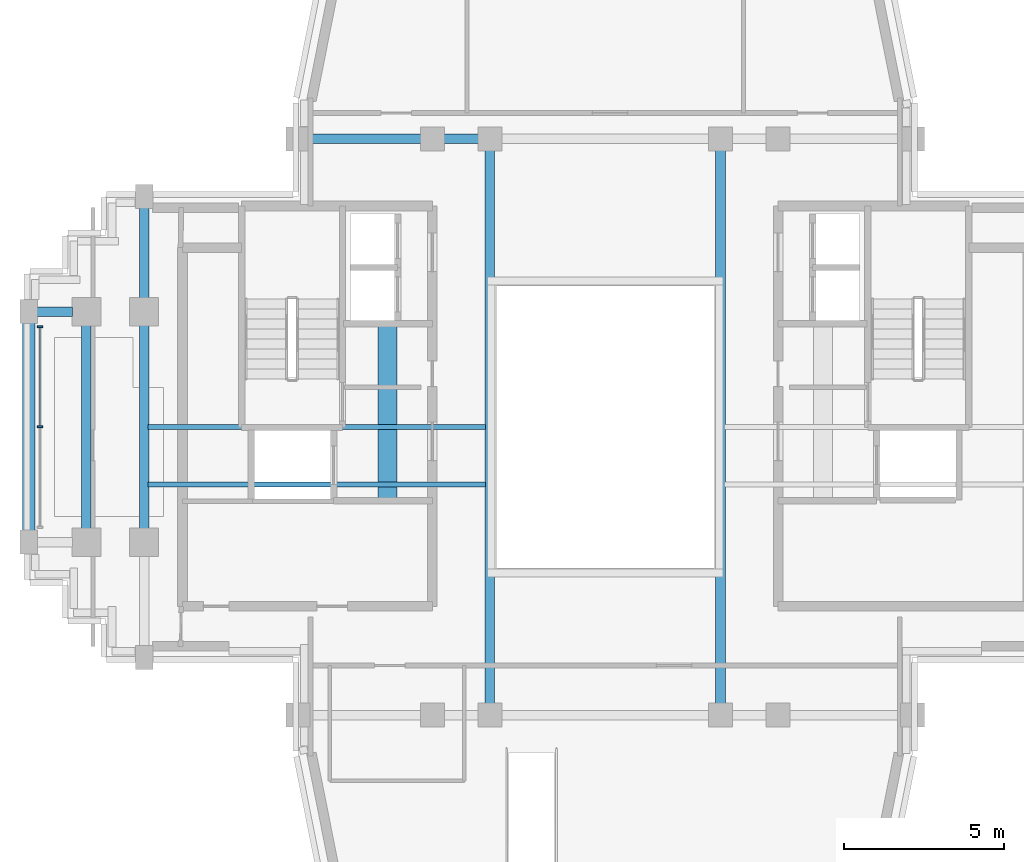
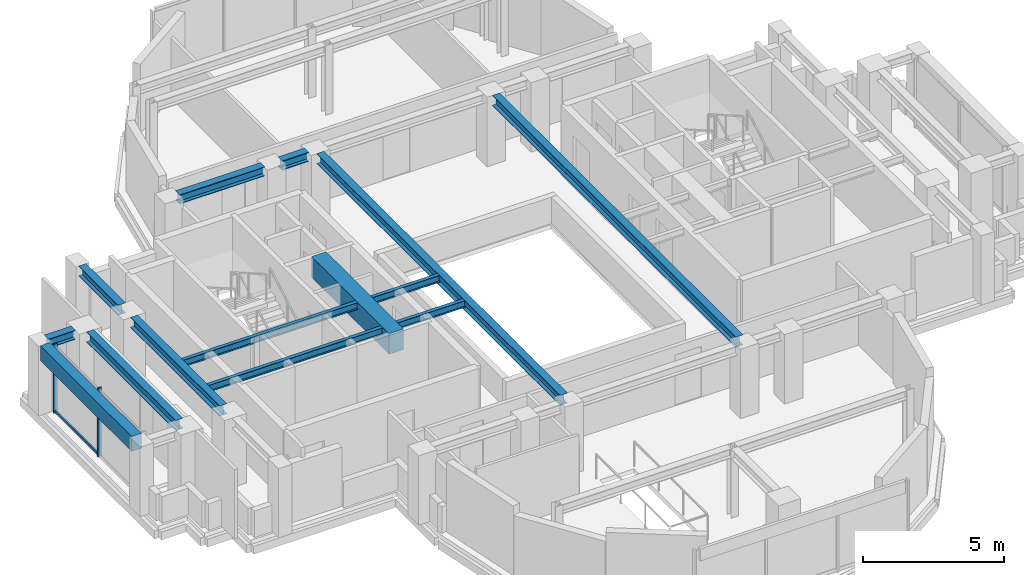
# One storey, part 4 of 12: 12 beams, 3 members, 1 element without a shape of its own.
"""IFC4 building model written with IfcOpenShell, lengths in metres."""

from ifc_helpers import new_model, si_unit, direction, frame, origin, origin_2d, place, context, subcontext, project, spatial, rectangle, i_section, extrude, source, transform, mapped, material, material_profile, profile_set, type_object, element, aggregate, save


model = new_model("IFC4")

# Units and contexts
model_context = context("Model", 3, precision=1e-05, world=origin(), true_north=direction((0.0, 1.0)))
body_context = subcontext(model_context, "Body", "Model", "MODEL_VIEW")
ifc_project = project(units=[si_unit("LENGTHUNIT", "METRE"), si_unit("AREAUNIT", "SQUARE_METRE"), si_unit("VOLUMEUNIT", "CUBIC_METRE"), si_unit("PLANEANGLEUNIT", "RADIAN"), si_unit("MASSUNIT", "GRAM", prefix="KILO")], contexts=[model_context])

# Site, building, storey
site_placement = place(None, origin())
site = spatial("IfcSite", under=ifc_project, at=site_placement, CompositionType="ELEMENT")
building_placement = place(site_placement, origin())
building = spatial("IfcBuilding", under=site, at=building_placement, Name="Keilestroom Media Tower", CompositionType="ELEMENT")
storey_placement = place(building_placement, frame((0.0, 0.0, 242.800048828125)))
storey = spatial("IfcBuildingStorey", under=building, at=storey_placement, Name="L67", CompositionType="ELEMENT", Elevation=242.800048828125)

# Beams
ifc_material_1 = material(Name="Concrete C70/85", Category="concrete")
ifc_material_profile_1 = material_profile(ifc_material_1, rectangle(XDim=0.60009765625, YDim=0.89990234375, at=origin_2d()), Name="RC 600x900")
ifc_profile_set_1 = profile_set([ifc_material_profile_1], Name="Concrete C70/85")
beam_type_1 = type_object("IfcBeamType", Name="Core-Coupling-Lintel-Beam-RC-600x900", PredefinedType="LINTEL", material=ifc_profile_set_1)
shared_shape_1 = source(origin(), body_context, "Body", "SweptSolid", [
    extrude(rectangle(XDim=0.60009765625, YDim=0.89990234375, at=origin_2d()), origin(), (0.0, 0.0, 1.0), 5.52001953125),
])
beam_1_placement = place(storey_placement, frame((-6.800048828125, -2.300048828125, 2.56005859375), z_axis=(0.0, 1.0, 0.0), x_axis=(-1.0, 0.0, 0.0)))
element("IfcBeam", 1, at=beam_1_placement, inside=storey, type_object=beam_type_1, Name="L67 Beam CLB-1 CLB-L67-W", PredefinedType="LINTEL", context=body_context, shape_type="MappedRepresentation", body=[
    mapped(shared_shape_1, transform((0.0, 0.0, 0.0), x_axis=(1.0, 0.0, 0.0), y_axis=(0.0, 1.0, 0.0), z_axis=(0.0, 0.0, 1.0), scale=1.0)),
])
ifc_material_2 = material(Name="Steel S355", Category="steel")
ifc_material_profile_2 = material_profile(ifc_material_2, i_section(OverallWidth=0.300048828125, OverallDepth=0.39990234375, WebThickness=0.011474609375, FlangeThickness=0.02392578125, at=origin_2d()), Name="HEB 400")
ifc_profile_set_2 = profile_set([ifc_material_profile_2], Name="Steel S355")
beam_type_2 = type_object("IfcBeamType", Name="Primary-Structural-Girder-HEB-400", PredefinedType="BEAM", material=ifc_profile_set_2)
shared_shape_2 = source(origin(), body_context, "Body", "SweptSolid", [
    extrude(i_section(OverallWidth=0.300048828125, OverallDepth=0.39990234375, WebThickness=0.011474609375, FlangeThickness=0.02392578125, at=origin_2d()), origin(), (0.0, 0.0, 1.0), 3.490234375),
])
beam_2_placement = place(storey_placement, frame((-9.2451171875, 9.0, 2.81005859375), z_axis=(1.0, 0.0, 0.0), x_axis=(0.0, 1.0, 0.0)))
element("IfcBeam", 2, at=beam_2_placement, inside=storey, type_object=beam_type_2, Name="L67 Beam BG-8 BM-L67-EW-016", PredefinedType="BEAM", context=body_context, shape_type="MappedRepresentation", body=[
    mapped(shared_shape_2, transform((0.0, 0.0, 0.0), x_axis=(1.0, 0.0, 0.0), y_axis=(0.0, 1.0, 0.0), z_axis=(0.0, 0.0, 1.0), scale=1.0)),
])
shared_shape_3 = source(origin(), body_context, "Body", "SweptSolid", [
    extrude(i_section(OverallWidth=0.300048828125, OverallDepth=0.39990234375, WebThickness=0.011474609375, FlangeThickness=0.02392578125, at=origin_2d()), origin(), (0.0, 0.0, 1.0), 1.08984375),
])
beam_3_placement = place(storey_placement, frame((-5.044921875, 9.0, 2.81005859375), z_axis=(1.0, 0.0, 0.0), x_axis=(0.0, 1.0, 0.0)))
element("IfcBeam", 3, at=beam_3_placement, inside=storey, type_object=beam_type_2, Name="L67 Beam BG-8 BM-L67-EW-017", PredefinedType="BEAM", context=body_context, shape_type="MappedRepresentation", body=[
    mapped(shared_shape_3, transform((0.0, 0.0, 0.0), x_axis=(1.0, 0.0, 0.0), y_axis=(0.0, 1.0, 0.0), z_axis=(0.0, 0.0, 1.0), scale=1.0)),
])
shared_shape_4 = source(origin(), body_context, "Body", "SweptSolid", [
    extrude(i_section(OverallWidth=0.300048828125, OverallDepth=0.39990234375, WebThickness=0.011474609375, FlangeThickness=0.02392578125, at=origin_2d()), origin(), (0.0, 0.0, 1.0), 1.115234375),
])
beam_4_placement = place(storey_placement, frame((-17.7451171875, 3.60009765625, 2.81005859375), z_axis=(1.0, 0.0, 0.0), x_axis=(0.0, 1.0, 0.0)))
element("IfcBeam", 4, at=beam_4_placement, inside=storey, type_object=beam_type_2, Name="L67 Beam BG-8 BM-L67-EW-012", PredefinedType="BEAM", context=body_context, shape_type="MappedRepresentation", body=[
    mapped(shared_shape_4, transform((0.0, 0.0, 0.0), x_axis=(1.0, 0.0, 0.0), y_axis=(0.0, 1.0, 0.0), z_axis=(0.0, 0.0, 1.0), scale=1.0)),
])
ifc_material_3 = material(Name="Precast concrete C40/50", Category="concrete")
ifc_material_profile_3 = material_profile(ifc_material_3, rectangle(XDim=0.39990234375, YDim=0.64990234375, at=origin_2d()), Name="PC 400x650")
ifc_profile_set_3 = profile_set([ifc_material_profile_3], Name="Precast concrete C40/50")
beam_type_3 = type_object("IfcBeamType", Name="Perimeter-Spandrel-Beam-PC-400x650", PredefinedType="SPANDREL", material=ifc_profile_set_3)
shared_shape_5 = source(origin(), body_context, "Body", "SweptSolid", [
    extrude(rectangle(XDim=0.39990234375, YDim=0.64990234375, at=origin_2d()), origin(), (0.0, 0.0, 1.0), 6.490234375),
])
beam_5_placement = place(storey_placement, frame((-18.0, -3.2451171875, 2.68505859375), z_axis=(0.0, 1.0, 0.0), x_axis=(-1.0, 0.0, 0.0)))
element("IfcBeam", 5, at=beam_5_placement, inside=storey, type_object=beam_type_3, Name="L67 Beam SPB-2 BM-L67-NS-025", PredefinedType="SPANDREL", context=body_context, shape_type="MappedRepresentation", body=[
    mapped(shared_shape_5, transform((0.0, 0.0, 0.0), x_axis=(1.0, 0.0, 0.0), y_axis=(0.0, 1.0, 0.0), z_axis=(0.0, 0.0, 1.0), scale=1.0)),
])
ifc_material_profile_4 = material_profile(ifc_material_2, i_section(OverallWidth=0.300048828125, OverallDepth=0.43994140625, WebThickness=0.011474609375, FlangeThickness=0.02099609375, at=origin_2d()), Name="HEA 450")
ifc_profile_set_4 = profile_set([ifc_material_profile_4], Name="Steel S355")
beam_type_4 = type_object("IfcBeamType", Name="Primary-Structural-Girder-HEA-450", PredefinedType="BEAM", material=ifc_profile_set_4)
shared_shape_6 = source(origin(), body_context, "Body", "SweptSolid", [
    extrude(i_section(OverallWidth=0.300048828125, OverallDepth=0.43994140625, WebThickness=0.011474609375, FlangeThickness=0.02099609375, at=origin_2d()), origin(), (0.0, 0.0, 1.0), 6.33984375),
])
for number, where, z_axis, x_axis, name in (
    (6, (-16.199951171875, -3.169921875, 2.7900390625), (0.0, 1.0, 0.0), (-1.0, 0.0, 0.0), "L67 Beam BG-11 BM-L67-NS-026"),
    (7, (-14.39990234375, -3.169921875, 2.7900390625), (0.0, 1.0, 0.0), (-1.0, 0.0, 0.0), "L67 Beam BG-11 BM-L67-NS-028"),
):
    element("IfcBeam", number, at=place(storey_placement, frame(where, z_axis=z_axis, x_axis=x_axis)), inside=storey, type_object=beam_type_4, Name=name, PredefinedType="BEAM", context=body_context, shape_type="MappedRepresentation", body=[
        mapped(shared_shape_6, transform((0.0, 0.0, 0.0), x_axis=(1.0, 0.0, 0.0), y_axis=(0.0, 1.0, 0.0), z_axis=(0.0, 0.0, 1.0), scale=1.0)),
    ])
shared_shape_7 = source(origin(), body_context, "Body", "SweptSolid", [
    extrude(i_section(OverallWidth=0.300048828125, OverallDepth=0.43994140625, WebThickness=0.011474609375, FlangeThickness=0.02099609375, at=origin_2d()), origin(), (0.0, 0.0, 1.0), 2.81494140625),
])
beam_6_placement = place(storey_placement, frame((-14.39990234375, 4.030029296875, 2.7900390625), z_axis=(0.0, 1.0, 0.0), x_axis=(-1.0, 0.0, 0.0)))
element("IfcBeam", 8, at=beam_6_placement, inside=storey, type_object=beam_type_4, Name="L67 Beam BG-11 BM-L67-NS-029", PredefinedType="BEAM", context=body_context, shape_type="MappedRepresentation", body=[
    mapped(shared_shape_7, transform((0.0, 0.0, 0.0), x_axis=(1.0, 0.0, 0.0), y_axis=(0.0, 1.0, 0.0), z_axis=(0.0, 0.0, 1.0), scale=1.0)),
])
shared_shape_8 = source(origin(), body_context, "Body", "SweptSolid", [
    extrude(i_section(OverallWidth=0.300048828125, OverallDepth=0.43994140625, WebThickness=0.011474609375, FlangeThickness=0.02099609375, at=origin_2d()), origin(), (0.0, 0.0, 1.0), 17.2900390625),
])
for number, where, z_axis, x_axis, name in (
    (9, (-3.60009765625, -8.64501953125, 2.7900390625), (0.0, 1.0, 0.0), (-1.0, 0.0, 0.0), "L67 Beam BG-11 BM-L67-NS-033"),
    (10, (3.60009765625, -8.64501953125, 2.7900390625), (0.0, 1.0, 0.0), (-1.0, 0.0, 0.0), "L67 Beam BG-11 BM-L67-NS-036"),
):
    element("IfcBeam", number, at=place(storey_placement, frame(where, z_axis=z_axis, x_axis=x_axis)), inside=storey, type_object=beam_type_4, Name=name, PredefinedType="BEAM", context=body_context, shape_type="MappedRepresentation", body=[
        mapped(shared_shape_8, transform((0.0, 0.0, 0.0), x_axis=(1.0, 0.0, 0.0), y_axis=(0.0, 1.0, 0.0), z_axis=(0.0, 0.0, 1.0), scale=1.0)),
    ])
ifc_material_profile_5 = material_profile(ifc_material_2, i_section(OverallWidth=0.14990234375, OverallDepth=0.300048828125, WebThickness=0.007080078125, FlangeThickness=0.0107421875, at=origin_2d()), Name="IPE 300")
ifc_profile_set_5 = profile_set([ifc_material_profile_5], Name="Steel S355")
beam_type_5 = type_object("IfcBeamType", Name="Secondary-Floor-Joist-IPE-300", PredefinedType="JOIST", material=ifc_profile_set_5)
shared_shape_9 = source(origin(), body_context, "Body", "SweptSolid", [
    extrude(i_section(OverallWidth=0.14990234375, OverallDepth=0.300048828125, WebThickness=0.007080078125, FlangeThickness=0.0107421875, at=origin_2d()), origin(), (0.0, 0.0, 1.0), 10.5400390625),
])
for number, where, z_axis, x_axis, name in (
    (11, (-14.27001953125, -1.800048828125, 2.85986328125), (1.0, 0.0, 0.0), (0.0, 1.0, 0.0), "L67 Beam BJ-7 JST-L67-045"),
    (12, (-14.27001953125, 0.0, 2.85986328125), (1.0, 0.0, 0.0), (0.0, 1.0, 0.0), "L67 Beam BJ-7 JST-L67-048"),
):
    element("IfcBeam", number, at=place(storey_placement, frame(where, z_axis=z_axis, x_axis=x_axis)), inside=storey, type_object=beam_type_5, Name=name, PredefinedType="JOIST", context=body_context, shape_type="MappedRepresentation", body=[
        mapped(shared_shape_9, transform((0.0, 0.0, 0.0), x_axis=(1.0, 0.0, 0.0), y_axis=(0.0, 1.0, 0.0), z_axis=(0.0, 0.0, 1.0), scale=1.0)),
    ])

# Curtain wall, members
ifc_material_4 = material(Name="Anodised Aluminium Alloy", Category="aluminium")
curtain_wall_type = type_object("IfcCurtainWallType", Name="Unitised-Curtain-Wall-CW-4", PredefinedType="NOTDEFINED", material=ifc_material_4)
curtain_wall_placement = place(storey_placement, origin())
curtain_wall = element("IfcCurtainWall", 13, at=curtain_wall_placement, inside=storey, type_object=curtain_wall_type, Name="L67 Curtain Wall CW-4 CW-L67-W-1", PredefinedType="NOTDEFINED")
ifc_material_profile_6 = material_profile(ifc_material_4, rectangle(XDim=0.06005859375, YDim=0.159912109375, at=origin_2d()), Name="ALU MULLION 60x160")
ifc_profile_set_6 = profile_set([ifc_material_profile_6], Name="Anodised Aluminium Alloy")
member_type_1 = type_object("IfcMemberType", Name="Curtain-Wall-Mullion-CW-4", PredefinedType="MULLION", material=ifc_profile_set_6)
shared_shape_10 = source(origin(), body_context, "Body", "SweptSolid", [
    extrude(rectangle(XDim=0.06005859375, YDim=0.159912109375, at=origin_2d()), origin(), (0.0, 0.0, 1.0), 2.97998046875),
])
member_1_placement = place(storey_placement, frame((-17.64990234375, 0.0, 0.0), z_axis=(0.0, 0.0, 1.0), x_axis=(0.0, 1.0, 0.0)))
member_1 = element("IfcMember", 14, at=member_1_placement, type_object=member_type_1, Name="CW-4 Mullion 01", PredefinedType="MULLION", context=body_context, shape_type="MappedRepresentation", body=[
    mapped(shared_shape_10, transform((0.0, 0.0, 0.0), x_axis=(1.0, 0.0, 0.0), y_axis=(0.0, 1.0, 0.0), z_axis=(0.0, 0.0, 1.0), scale=1.0)),
])
member_2_placement = place(storey_placement, frame((-17.64990234375, 3.135009765625, 0.0), z_axis=(0.0, 0.0, 1.0), x_axis=(0.0, 1.0, 0.0)))
member_2 = element("IfcMember", 15, at=member_2_placement, type_object=member_type_1, Name="CW-4 Mullion 02", PredefinedType="MULLION", context=body_context, shape_type="MappedRepresentation", body=[
    mapped(shared_shape_10, transform((0.0, 0.0, 0.0), x_axis=(1.0, 0.0, 0.0), y_axis=(0.0, 1.0, 0.0), z_axis=(0.0, 0.0, 1.0), scale=1.0)),
])
ifc_material_profile_7 = material_profile(ifc_material_4, rectangle(XDim=0.06005859375, YDim=0.1298828125, at=origin_2d()), Name="ALU TRANSOM 60x130")
ifc_profile_set_7 = profile_set([ifc_material_profile_7], Name="Anodised Aluminium Alloy")
member_type_2 = type_object("IfcMemberType", Name="Curtain-Wall-Transom-CW-4", PredefinedType="USERDEFINED", material=ifc_profile_set_7)
shared_shape_11 = source(origin(), body_context, "Body", "SweptSolid", [
    extrude(rectangle(XDim=0.06005859375, YDim=0.1298828125, at=origin_2d()), origin(), (0.0, 0.0, 1.0), 3.078857421875),
])
member_3_placement = place(storey_placement, frame((-17.64990234375, 0.028076171875, 0.06494140625), z_axis=(0.0, 1.0, 0.0), x_axis=(-1.0, 0.0, 0.0)))
member_3 = element("IfcMember", 16, at=member_3_placement, type_object=member_type_2, Name="CW-4 Transom 01.1", ObjectType="TRANSOM", PredefinedType="USERDEFINED", context=body_context, shape_type="MappedRepresentation", body=[
    mapped(shared_shape_11, transform((0.0, 0.0, 0.0), x_axis=(1.0, 0.0, 0.0), y_axis=(0.0, 1.0, 0.0), z_axis=(0.0, 0.0, 1.0), scale=1.0)),
])
aggregate(curtain_wall, [member_1, member_2, member_3])

save(model, "model.ifc")
